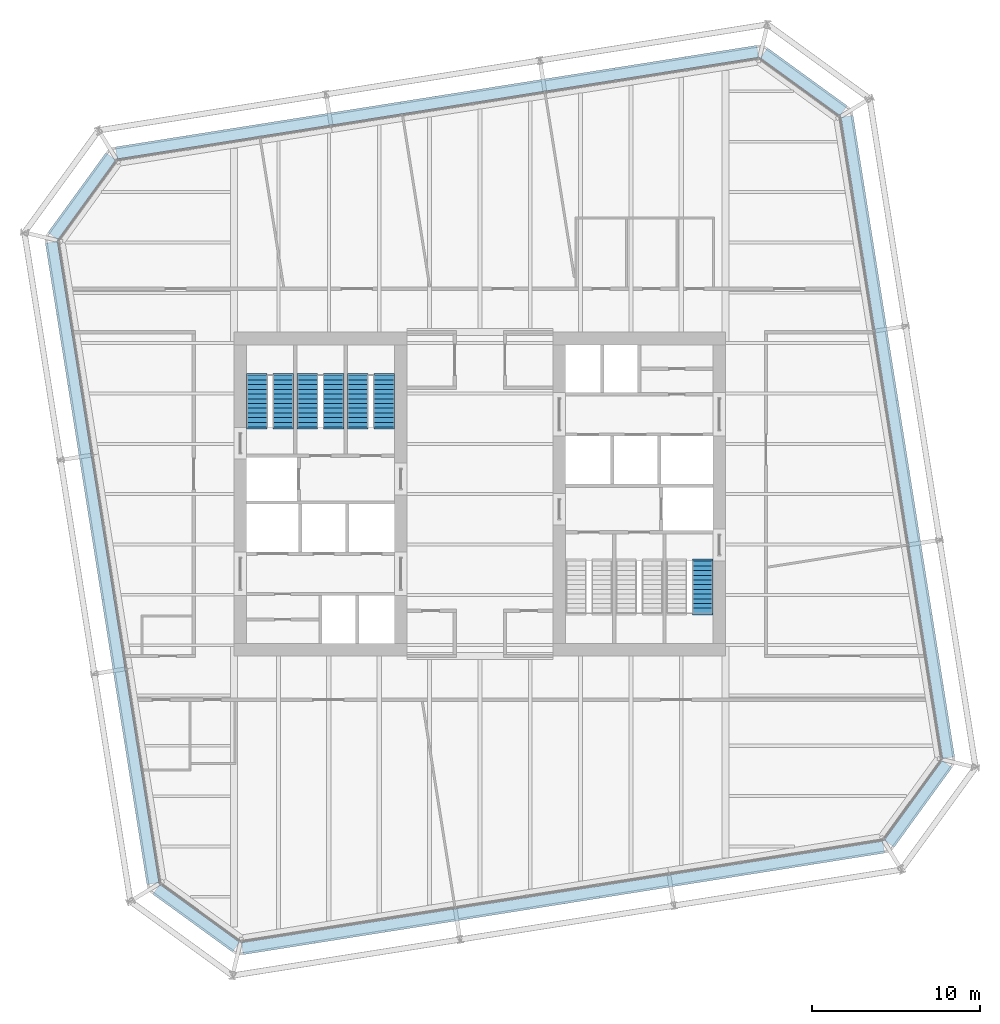
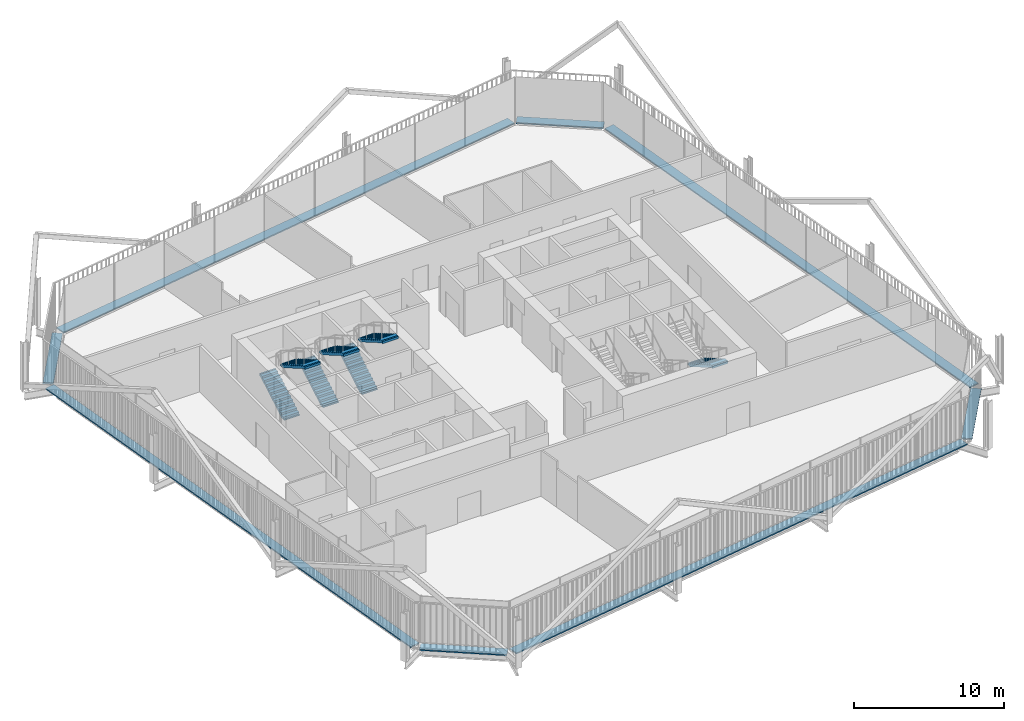
# One storey, part 21 of 22: 8 discrete accessories, 7 stair flights, 4 elements without a shape of their own.
"""IFC4 building model written with IfcOpenShell, lengths in metres."""

from ifc_helpers import new_model, si_unit, direction, frame, origin, origin_2d, place, context, subcontext, project, spatial, polyline, rectangle, outline, extrude, material, type_object, element, aggregate, save


model = new_model("IFC4")

# Units and contexts
model_context = context("Model", 3, precision=1e-05, world=origin(), true_north=direction((0.0, 1.0)))
body_context = subcontext(model_context, "Body", "Model", "MODEL_VIEW")
ifc_project = project(units=[si_unit("LENGTHUNIT", "METRE"), si_unit("AREAUNIT", "SQUARE_METRE"), si_unit("VOLUMEUNIT", "CUBIC_METRE"), si_unit("PLANEANGLEUNIT", "RADIAN"), si_unit("MASSUNIT", "GRAM", prefix="KILO")], contexts=[model_context])

# Site, building, storey
site_placement = place(None, origin())
site = spatial("IfcSite", under=ifc_project, at=site_placement, CompositionType="ELEMENT")
building_placement = place(site_placement, origin())
building = spatial("IfcBuilding", under=site, at=building_placement, Name="Millrace Tower", CompositionType="ELEMENT")
storey_placement = place(building_placement, frame((0.0, 0.0, 152.89990234375)))
storey = spatial("IfcBuildingStorey", under=building, at=storey_placement, Name="L34", CompositionType="ELEMENT", Elevation=152.89990234375)

# Stair, stair flights
ifc_material_1 = material(Name="Concrete C35", Category="concrete")
stair_type = type_object("IfcStairType", Name="Exit stair", PredefinedType="HALF_TURN_STAIR", material=ifc_material_1)
placement = place(storey_placement, origin())
stair_1 = element("IfcStair", 1, at=placement, inside=storey, type_object=stair_type, Name="Stair 1 W L34", PredefinedType="HALF_TURN_STAIR")
ifc_material_2 = material(Name="Concrete C35", Category="concrete")
stair_flight_type = type_object("IfcStairFlightType", Name="Exit stair flight", PredefinedType="STRAIGHT", material=ifc_material_2)
stair_flight_1_placement = place(storey_placement, frame((-13.2900390625, 4.0, 0.0), z_axis=(0.0, 0.0, 1.0), x_axis=(0.0, 1.0, 0.0)))
stair_flight_1 = element("IfcStairFlight", 2, at=stair_flight_1_placement, type_object=stair_flight_type, Name="ST12 flight 1", NumberOfRisers=12, NumberOfTreads=11, PredefinedType="STRAIGHT", RiserHeight=0.1625, TreadLength=0.28, context=body_context, shape_type="SweptSolid", body=[
    extrude(outline(polyline([(-0.1201171875, -0.0400390625), (-0.1201171875, 0.0), (0.0, 0.0), (0.0, 0.16259765625), (0.280029296875, 0.16259765625), (0.280029296875, 0.324951171875), (0.56005859375, 0.324951171875), (0.56005859375, 0.487548828125), (0.840087890625, 0.487548828125), (0.840087890625, 0.64990234375), (1.1201171875, 0.64990234375), (1.1201171875, 0.8125), (1.39990234375, 0.8125), (1.39990234375, 0.97509765625), (1.679931640625, 0.97509765625), (1.679931640625, 1.137451171875), (1.9599609375, 1.137451171875), (1.9599609375, 1.300048828125), (2.239990234375, 1.300048828125), (2.239990234375, 1.46240234375), (2.52001953125, 1.46240234375), (2.52001953125, 1.625), (2.800048828125, 1.625), (2.800048828125, 1.78759765625), (3.080078125, 1.78759765625), (3.080078125, 1.8076171875), (3.199951171875, 1.8076171875), (3.199951171875, 1.6142578125), (3.080078125, 1.6142578125), (0.298583984375, 0.0), (0.298583984375, -0.0400390625), (-0.1201171875, -0.0400390625)])), frame((0.0, 0.60986328125, 0.0), z_axis=(0.0, -1.0, 0.0), x_axis=(1.0, 0.0, 0.0)), (0.0, 0.0, 1.0), 1.219970703125),
])
stair_flight_2_placement = place(storey_placement, frame((-11.7099609375, 7.080078125, 1.9501953125), z_axis=(0.0, 0.0, 1.0), x_axis=(0.0, -1.0, 0.0)))
stair_flight_2 = element("IfcStairFlight", 3, at=stair_flight_2_placement, type_object=stair_flight_type, Name="ST12 flight 2", NumberOfRisers=12, NumberOfTreads=11, PredefinedType="STRAIGHT", RiserHeight=0.1625, TreadLength=0.28, context=body_context, shape_type="SweptSolid", body=[
    extrude(outline(polyline([(-0.1201171875, -0.0400390625), (-0.1201171875, 0.0), (0.0, 0.0), (0.0, 0.16259765625), (0.280029296875, 0.16259765625), (0.280029296875, 0.324951171875), (0.56005859375, 0.324951171875), (0.56005859375, 0.487548828125), (0.840087890625, 0.487548828125), (0.840087890625, 0.64990234375), (1.1201171875, 0.64990234375), (1.1201171875, 0.8125), (1.39990234375, 0.8125), (1.39990234375, 0.97509765625), (1.679931640625, 0.97509765625), (1.679931640625, 1.137451171875), (1.9599609375, 1.137451171875), (1.9599609375, 1.300048828125), (2.239990234375, 1.300048828125), (2.239990234375, 1.46240234375), (2.52001953125, 1.46240234375), (2.52001953125, 1.625), (2.800048828125, 1.625), (2.800048828125, 1.78759765625), (3.080078125, 1.78759765625), (3.080078125, 1.8076171875), (3.199951171875, 1.8076171875), (3.199951171875, 1.6142578125), (3.080078125, 1.6142578125), (0.298583984375, 0.0), (0.298583984375, -0.0400390625), (-0.1201171875, -0.0400390625)])), frame((0.0, 0.60986328125, 0.0), z_axis=(0.0, -1.0, 0.0), x_axis=(1.0, 0.0, 0.0)), (0.0, 0.0, 1.0), 1.219970703125),
])
aggregate(stair_1, [stair_flight_1, stair_flight_2])

stair_2 = element("IfcStair", 4, at=placement, inside=storey, type_object=stair_type, Name="Stair 2 W L34", PredefinedType="HALF_TURN_STAIR")
stair_flight_3_placement = place(storey_placement, frame((-10.2900390625, 4.0, 0.0), z_axis=(0.0, 0.0, 1.0), x_axis=(0.0, 1.0, 0.0)))
stair_flight_3 = element("IfcStairFlight", 5, at=stair_flight_3_placement, type_object=stair_flight_type, Name="ST12 flight 1", NumberOfRisers=12, NumberOfTreads=11, PredefinedType="STRAIGHT", RiserHeight=0.1625, TreadLength=0.28, context=body_context, shape_type="SweptSolid", body=[
    extrude(outline(polyline([(-0.1201171875, -0.0400390625), (-0.1201171875, 0.0), (0.0, 0.0), (0.0, 0.16259765625), (0.280029296875, 0.16259765625), (0.280029296875, 0.324951171875), (0.56005859375, 0.324951171875), (0.56005859375, 0.487548828125), (0.840087890625, 0.487548828125), (0.840087890625, 0.64990234375), (1.1201171875, 0.64990234375), (1.1201171875, 0.8125), (1.39990234375, 0.8125), (1.39990234375, 0.97509765625), (1.679931640625, 0.97509765625), (1.679931640625, 1.137451171875), (1.9599609375, 1.137451171875), (1.9599609375, 1.300048828125), (2.239990234375, 1.300048828125), (2.239990234375, 1.46240234375), (2.52001953125, 1.46240234375), (2.52001953125, 1.625), (2.800048828125, 1.625), (2.800048828125, 1.78759765625), (3.080078125, 1.78759765625), (3.080078125, 1.8076171875), (3.199951171875, 1.8076171875), (3.199951171875, 1.6142578125), (3.080078125, 1.6142578125), (0.298583984375, 0.0), (0.298583984375, -0.0400390625), (-0.1201171875, -0.0400390625)])), frame((0.0, 0.60986328125, 0.0), z_axis=(0.0, -1.0, 0.0), x_axis=(1.0, 0.0, 0.0)), (0.0, 0.0, 1.0), 1.219970703125),
])
stair_flight_4_placement = place(storey_placement, frame((-8.7099609375, 7.080078125, 1.9501953125), z_axis=(0.0, 0.0, 1.0), x_axis=(0.0, -1.0, 0.0)))
stair_flight_4 = element("IfcStairFlight", 6, at=stair_flight_4_placement, type_object=stair_flight_type, Name="ST12 flight 2", NumberOfRisers=12, NumberOfTreads=11, PredefinedType="STRAIGHT", RiserHeight=0.1625, TreadLength=0.28, context=body_context, shape_type="SweptSolid", body=[
    extrude(outline(polyline([(-0.1201171875, -0.0400390625), (-0.1201171875, 0.0), (0.0, 0.0), (0.0, 0.16259765625), (0.280029296875, 0.16259765625), (0.280029296875, 0.324951171875), (0.56005859375, 0.324951171875), (0.56005859375, 0.487548828125), (0.840087890625, 0.487548828125), (0.840087890625, 0.64990234375), (1.1201171875, 0.64990234375), (1.1201171875, 0.8125), (1.39990234375, 0.8125), (1.39990234375, 0.97509765625), (1.679931640625, 0.97509765625), (1.679931640625, 1.137451171875), (1.9599609375, 1.137451171875), (1.9599609375, 1.300048828125), (2.239990234375, 1.300048828125), (2.239990234375, 1.46240234375), (2.52001953125, 1.46240234375), (2.52001953125, 1.625), (2.800048828125, 1.625), (2.800048828125, 1.78759765625), (3.080078125, 1.78759765625), (3.080078125, 1.8076171875), (3.199951171875, 1.8076171875), (3.199951171875, 1.6142578125), (3.080078125, 1.6142578125), (0.298583984375, 0.0), (0.298583984375, -0.0400390625), (-0.1201171875, -0.0400390625)])), frame((0.0, 0.60986328125, 0.0), z_axis=(0.0, -1.0, 0.0), x_axis=(1.0, 0.0, 0.0)), (0.0, 0.0, 1.0), 1.219970703125),
])
aggregate(stair_2, [stair_flight_3, stair_flight_4])

stair_3 = element("IfcStair", 7, at=placement, inside=storey, type_object=stair_type, Name="Stair 3 W L34", PredefinedType="HALF_TURN_STAIR")
stair_flight_5_placement = place(storey_placement, frame((-7.2900390625, 4.0, 0.0), z_axis=(0.0, 0.0, 1.0), x_axis=(0.0, 1.0, 0.0)))
stair_flight_5 = element("IfcStairFlight", 8, at=stair_flight_5_placement, type_object=stair_flight_type, Name="ST12 flight 1", NumberOfRisers=12, NumberOfTreads=11, PredefinedType="STRAIGHT", RiserHeight=0.1625, TreadLength=0.28, context=body_context, shape_type="SweptSolid", body=[
    extrude(outline(polyline([(-0.1201171875, -0.0400390625), (-0.1201171875, 0.0), (0.0, 0.0), (0.0, 0.16259765625), (0.280029296875, 0.16259765625), (0.280029296875, 0.324951171875), (0.56005859375, 0.324951171875), (0.56005859375, 0.487548828125), (0.840087890625, 0.487548828125), (0.840087890625, 0.64990234375), (1.1201171875, 0.64990234375), (1.1201171875, 0.8125), (1.39990234375, 0.8125), (1.39990234375, 0.97509765625), (1.679931640625, 0.97509765625), (1.679931640625, 1.137451171875), (1.9599609375, 1.137451171875), (1.9599609375, 1.300048828125), (2.239990234375, 1.300048828125), (2.239990234375, 1.46240234375), (2.52001953125, 1.46240234375), (2.52001953125, 1.625), (2.800048828125, 1.625), (2.800048828125, 1.78759765625), (3.080078125, 1.78759765625), (3.080078125, 1.8076171875), (3.199951171875, 1.8076171875), (3.199951171875, 1.6142578125), (3.080078125, 1.6142578125), (0.298583984375, 0.0), (0.298583984375, -0.0400390625), (-0.1201171875, -0.0400390625)])), frame((0.0, 0.60986328125, 0.0), z_axis=(0.0, -1.0, 0.0), x_axis=(1.0, 0.0, 0.0)), (0.0, 0.0, 1.0), 1.219970703125),
])
stair_flight_6_placement = place(storey_placement, frame((-5.7099609375, 7.080078125, 1.9501953125), z_axis=(0.0, 0.0, 1.0), x_axis=(0.0, -1.0, 0.0)))
stair_flight_6 = element("IfcStairFlight", 9, at=stair_flight_6_placement, type_object=stair_flight_type, Name="ST12 flight 2", NumberOfRisers=12, NumberOfTreads=11, PredefinedType="STRAIGHT", RiserHeight=0.1625, TreadLength=0.28, context=body_context, shape_type="SweptSolid", body=[
    extrude(outline(polyline([(-0.1201171875, -0.0400390625), (-0.1201171875, 0.0), (0.0, 0.0), (0.0, 0.16259765625), (0.280029296875, 0.16259765625), (0.280029296875, 0.324951171875), (0.56005859375, 0.324951171875), (0.56005859375, 0.487548828125), (0.840087890625, 0.487548828125), (0.840087890625, 0.64990234375), (1.1201171875, 0.64990234375), (1.1201171875, 0.8125), (1.39990234375, 0.8125), (1.39990234375, 0.97509765625), (1.679931640625, 0.97509765625), (1.679931640625, 1.137451171875), (1.9599609375, 1.137451171875), (1.9599609375, 1.300048828125), (2.239990234375, 1.300048828125), (2.239990234375, 1.46240234375), (2.52001953125, 1.46240234375), (2.52001953125, 1.625), (2.800048828125, 1.625), (2.800048828125, 1.78759765625), (3.080078125, 1.78759765625), (3.080078125, 1.8076171875), (3.199951171875, 1.8076171875), (3.199951171875, 1.6142578125), (3.080078125, 1.6142578125), (0.298583984375, 0.0), (0.298583984375, -0.0400390625), (-0.1201171875, -0.0400390625)])), frame((0.0, 0.60986328125, 0.0), z_axis=(0.0, -1.0, 0.0), x_axis=(1.0, 0.0, 0.0)), (0.0, 0.0, 1.0), 1.219970703125),
])
aggregate(stair_3, [stair_flight_5, stair_flight_6])

# Stair, stair flight
stair_4 = element("IfcStair", 10, at=placement, inside=storey, type_object=stair_type, Name="Stair 1 E L34", PredefinedType="HALF_TURN_STAIR")
stair_flight_7_placement = place(storey_placement, frame((13.2900390625, -4.0, 0.0), z_axis=(0.0, 0.0, 1.0), x_axis=(0.0, -1.0, 0.0)))
stair_flight_7 = element("IfcStairFlight", 11, at=stair_flight_7_placement, type_object=stair_flight_type, Name="ST12 flight 1", NumberOfRisers=12, NumberOfTreads=11, PredefinedType="STRAIGHT", RiserHeight=0.1625, TreadLength=0.28, context=body_context, shape_type="SweptSolid", body=[
    extrude(outline(polyline([(-0.1201171875, -0.0400390625), (-0.1201171875, 0.0), (0.0, 0.0), (0.0, 0.16259765625), (0.280029296875, 0.16259765625), (0.280029296875, 0.324951171875), (0.56005859375, 0.324951171875), (0.56005859375, 0.487548828125), (0.840087890625, 0.487548828125), (0.840087890625, 0.64990234375), (1.1201171875, 0.64990234375), (1.1201171875, 0.8125), (1.39990234375, 0.8125), (1.39990234375, 0.97509765625), (1.679931640625, 0.97509765625), (1.679931640625, 1.137451171875), (1.9599609375, 1.137451171875), (1.9599609375, 1.300048828125), (2.239990234375, 1.300048828125), (2.239990234375, 1.46240234375), (2.52001953125, 1.46240234375), (2.52001953125, 1.625), (2.800048828125, 1.625), (2.800048828125, 1.78759765625), (3.080078125, 1.78759765625), (3.080078125, 1.8076171875), (3.199951171875, 1.8076171875), (3.199951171875, 1.6142578125), (3.080078125, 1.6142578125), (0.298583984375, 0.0), (0.298583984375, -0.0400390625), (-0.1201171875, -0.0400390625)])), frame((0.0, 0.60986328125, 0.0), z_axis=(0.0, -1.0, 0.0), x_axis=(1.0, 0.0, 0.0)), (0.0, 0.0, 1.0), 1.219970703125),
])
aggregate(stair_4, [stair_flight_7])

# Discrete accessories
ifc_material_3 = material(Name="Stainless steel ASTM A240 type 316", Category="steel")
discrete_accessory_type = type_object("IfcDiscreteAccessoryType", Name="Thermally broken screen support rail", PredefinedType="BRACKET", material=ifc_material_3)
discrete_accessory_1_placement = place(storey_placement, frame((-16.909423828125, -25.275390625, 0.0), z_axis=(0.0, 0.0, 1.0), x_axis=(0.809016981623, -0.587785269844, 0.0)))
element("IfcDiscreteAccessory", 12, at=discrete_accessory_1_placement, inside=storey, type_object=discrete_accessory_type, Name="Thermally broken screen support rail C-F01 L34 1", PredefinedType="BRACKET", context=body_context, shape_type="SweptSolid", body=[
    extrude(rectangle(XDim=5.868896484375, YDim=0.719970703125, at=origin_2d()), origin(), (0.0, 0.0, 1.0), 0.10009765625),
])
discrete_accessory_2_placement = place(storey_placement, frame((4.9560546875, -24.064453125, 0.0), z_axis=(0.0, 0.0, 1.0), x_axis=(0.98768833929, 0.15643447328, 0.0)))
element("IfcDiscreteAccessory", 13, at=discrete_accessory_2_placement, inside=storey, type_object=discrete_accessory_type, Name="Thermally broken screen support rail C-F02 L34 1", PredefinedType="BRACKET", context=body_context, shape_type="SweptSolid", body=[
    extrude(rectangle(XDim=38.699951171875, YDim=0.719970703125, at=origin_2d()), origin(), (0.0, 0.0, 1.0), 0.10009765625),
])
discrete_accessory_3_placement = place(storey_placement, frame((26.12548828125, -18.45947265625, 0.0), z_axis=(0.0, 0.0, 1.0), x_axis=(0.587785269844, 0.809016981623, 0.0)))
element("IfcDiscreteAccessory", 14, at=discrete_accessory_3_placement, inside=storey, type_object=discrete_accessory_type, Name="Thermally broken screen support rail C-F03 L34 1", PredefinedType="BRACKET", context=body_context, shape_type="SweptSolid", body=[
    extrude(rectangle(XDim=5.868896484375, YDim=0.719970703125, at=origin_2d()), origin(), (0.0, 0.0, 1.0), 0.10009765625),
])
discrete_accessory_4_placement = place(storey_placement, frame((24.914306640625, 3.406005859375, 0.0), z_axis=(0.0, 0.0, 1.0), x_axis=(-0.15643447328, 0.98768833929, 0.0)))
element("IfcDiscreteAccessory", 15, at=discrete_accessory_4_placement, inside=storey, type_object=discrete_accessory_type, Name="Thermally broken screen support rail C-F04 L34 1", PredefinedType="BRACKET", context=body_context, shape_type="SweptSolid", body=[
    extrude(rectangle(XDim=38.699951171875, YDim=0.719970703125, at=origin_2d()), origin(), (0.0, 0.0, 1.0), 0.10009765625),
])
discrete_accessory_5_placement = place(storey_placement, frame((19.309326171875, 24.575439453125, 0.0), z_axis=(0.0, 0.0, 1.0), x_axis=(-0.809016981623, 0.587785269844, 0.0)))
element("IfcDiscreteAccessory", 16, at=discrete_accessory_5_placement, inside=storey, type_object=discrete_accessory_type, Name="Thermally broken screen support rail C-F05 L34 1", PredefinedType="BRACKET", context=body_context, shape_type="SweptSolid", body=[
    extrude(rectangle(XDim=5.868896484375, YDim=0.719970703125, at=origin_2d()), origin(), (0.0, 0.0, 1.0), 0.10009765625),
])
discrete_accessory_6_placement = place(storey_placement, frame((-2.555908203125, 23.364501953125, 0.0), z_axis=(0.0, 0.0, 1.0), x_axis=(-0.98768833929, -0.15643447328, 0.0)))
element("IfcDiscreteAccessory", 17, at=discrete_accessory_6_placement, inside=storey, type_object=discrete_accessory_type, Name="Thermally broken screen support rail C-F06 L34 1", PredefinedType="BRACKET", context=body_context, shape_type="SweptSolid", body=[
    extrude(rectangle(XDim=38.699951171875, YDim=0.719970703125, at=origin_2d()), origin(), (0.0, 0.0, 1.0), 0.10009765625),
])
discrete_accessory_7_placement = place(storey_placement, frame((-23.725341796875, 17.75927734375, 0.0), z_axis=(0.0, 0.0, 1.0), x_axis=(-0.587785269844, -0.809016981623, 0.0)))
element("IfcDiscreteAccessory", 18, at=discrete_accessory_7_placement, inside=storey, type_object=discrete_accessory_type, Name="Thermally broken screen support rail C-F07 L34 1", PredefinedType="BRACKET", context=body_context, shape_type="SweptSolid", body=[
    extrude(rectangle(XDim=5.868896484375, YDim=0.719970703125, at=origin_2d()), origin(), (0.0, 0.0, 1.0), 0.10009765625),
])
discrete_accessory_8_placement = place(storey_placement, frame((-22.514404296875, -4.10595703125, 0.0), z_axis=(0.0, 0.0, 1.0), x_axis=(0.15643447328, -0.98768833929, 0.0)))
element("IfcDiscreteAccessory", 19, at=discrete_accessory_8_placement, inside=storey, type_object=discrete_accessory_type, Name="Thermally broken screen support rail C-F08 L34 1", PredefinedType="BRACKET", context=body_context, shape_type="SweptSolid", body=[
    extrude(rectangle(XDim=38.699951171875, YDim=0.719970703125, at=origin_2d()), origin(), (0.0, 0.0, 1.0), 0.10009765625),
])

save(model, "model.ifc")
